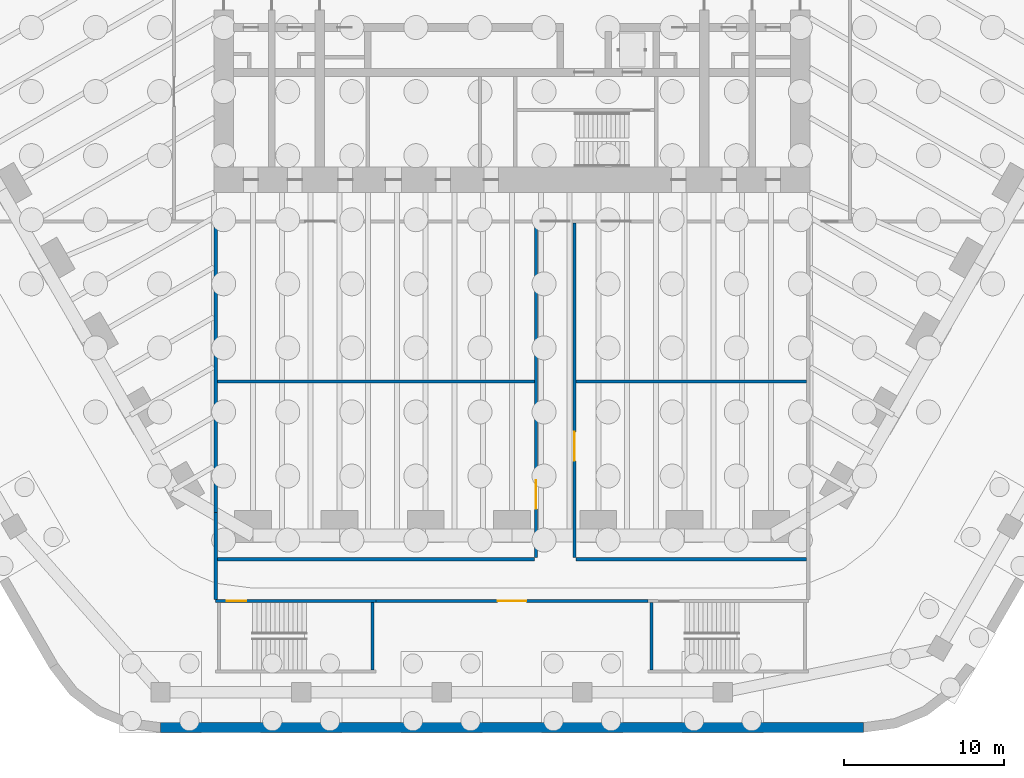
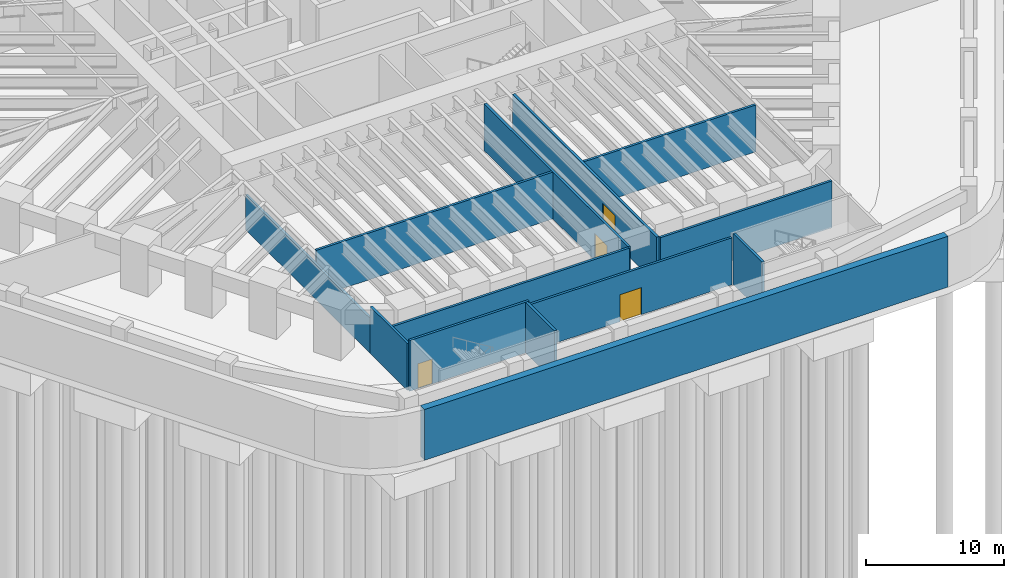
# One storey, part 6 of 17: 13 walls, 4 doors, 4 openings.
"""IFC4 building model written with IfcOpenShell, lengths in metres."""

from ifc_helpers import new_model, si_unit, direction, frame, frame_2d, origin, place, context, subcontext, project, spatial, rectangle, extrude, material, layer, layer_set, type_object, element, fill, save


model = new_model("IFC4")

# Units and contexts
model_context = context("Model", 3, precision=1e-05, world=origin(), true_north=direction((0.0, 1.0)))
body_context = subcontext(model_context, "Body", "Model", "MODEL_VIEW")
ifc_project = project(units=[si_unit("LENGTHUNIT", "METRE"), si_unit("AREAUNIT", "SQUARE_METRE"), si_unit("VOLUMEUNIT", "CUBIC_METRE"), si_unit("PLANEANGLEUNIT", "RADIAN"), si_unit("MASSUNIT", "GRAM", prefix="KILO")], contexts=[model_context])

# Site, building, storey
site_placement = place(None, origin())
site = spatial("IfcSite", under=ifc_project, at=site_placement, CompositionType="ELEMENT")
building_placement = place(site_placement, origin())
building = spatial("IfcBuilding", under=site, at=building_placement, Name="Tarfa Lantern Tower", CompositionType="ELEMENT")
storey_placement = place(building_placement, frame((0.0, 0.0, -9.0)))
storey = spatial("IfcBuildingStorey", under=building, at=storey_placement, Name="B2", CompositionType="ELEMENT", Elevation=-9.0)

# Walls
ifc_material_1 = material(Name="Concrete blockwork", Category="masonry")
ifc_layer_1 = layer(ifc_material_1, 0.199951171875)
ifc_layer_set_1 = layer_set([ifc_layer_1], Name="IW1 BLOCKWORK PARTITION 200 EI 120")
wall_type_1 = type_object("IfcWallType", Name="IW1 BLOCKWORK PARTITION 200 EI 120", PredefinedType="PARTITIONING", material=ifc_layer_set_1)
wall_1_placement = place(storey_placement, frame((-18.5, -14.199951171875, 0.0), z_axis=(0.0, 0.0, 1.0), x_axis=(0.0, -1.0, 0.0)))
element("IfcWall", 1, at=wall_1_placement, inside=storey, type_object=wall_type_1, Name="Fire-rated partition", PredefinedType="PARTITIONING", context=body_context, shape_type="SweptSolid", body=[
    extrude(rectangle(XDim=18.09033203125, YDim=0.199951171875, at=frame_2d((9.045166015625, 0.0))), origin(), (0.0, 0.0, 1.0), 3.093994140625),
])
wall_2_placement = place(storey_placement, frame((-18.5, -32.290283203125, 0.0), z_axis=(0.0, 0.0, 1.0), x_axis=(0.0, -1.0, 0.0)))
element("IfcWall", 2, at=wall_2_placement, inside=storey, type_object=wall_type_1, Name="Fire-rated partition", PredefinedType="PARTITIONING", context=body_context, shape_type="SweptSolid", body=[
    extrude(rectangle(XDim=5.40966796875, YDim=0.199951171875, at=frame_2d((2.704833984375, 0.0))), origin(), (0.0, 0.0, 1.0), 4.14990234375),
])

# Wall, opening, door
wall_3_placement = place(storey_placement, frame((1.5, -14.199951171875, 0.0), z_axis=(0.0, 0.0, 1.0), x_axis=(0.0, -1.0, 0.0)))
wall_3 = element("IfcWall", 3, at=wall_3_placement, inside=storey, type_object=wall_type_1, Name="Fire-rated partition", PredefinedType="PARTITIONING", context=body_context, shape_type="SweptSolid", body=[
    extrude(rectangle(XDim=20.900146484375, YDim=0.199951171875, at=frame_2d((10.4501953125, 0.0))), origin(), (0.0, 0.0, 1.0), 4.14990234375),
])
opening_1_placement = place(wall_3_placement, frame((16.050048828125, 0.0, 0.0)))
opening_1 = element("IfcOpeningElement", 4, at=opening_1_placement, cuts=wall_3, Name="Opening D52", PredefinedType="OPENING", context=body_context, shape_type="SweptSolid", body=[
    extrude(rectangle(XDim=1.800048828125, YDim=2.39990234375, at=frame_2d((0.89990234375, 1.199951171875))), frame((0.0, 0.10986328125, 0.0), z_axis=(0.0, -1.0, 0.0), x_axis=(1.0, 0.0, 0.0)), (0.0, 0.0, 1.0), 0.219970703125),
])
ifc_material_2 = material(Name="Steel fire door", Category="steel")
door_type_1 = type_object("IfcDoorType", Name="DF7 FIRE DOOR 1800x2400", OperationType="DOUBLE_DOOR_SINGLE_SWING", PredefinedType="DOOR", material=ifc_material_2)
door_1_placement = place(opening_1_placement, frame((1.800048828125, 0.0, 0.0), z_axis=(0.0, 0.0, 1.0), x_axis=(-1.0, 0.0, 0.0)))
door_1 = element("IfcDoor", 5, at=door_1_placement, inside=storey, type_object=door_type_1, Name="Plant room door", OperationType="DOUBLE_DOOR_SINGLE_SWING", OverallHeight=2.39990234375, OverallWidth=1.800048828125, PredefinedType="DOOR", context=body_context, shape_type="SweptSolid", body=[
    extrude(rectangle(XDim=1.800048828125, YDim=2.39990234375, at=frame_2d((0.89990234375, 1.199951171875))), frame((0.0, 0.02490234375, 0.0), z_axis=(0.0, -1.0, 0.0), x_axis=(1.0, 0.0, 0.0)), (0.0, 0.0, 1.0), 0.050048828125),
])
fill(opening_1, door_1)

wall_4_placement = place(storey_placement, frame((3.89990234375, -14.199951171875, 0.0), z_axis=(0.0, 0.0, 1.0), x_axis=(0.0, -1.0, 0.0)))
wall_4 = element("IfcWall", 6, at=wall_4_placement, inside=storey, type_object=wall_type_1, Name="Fire-rated partition", PredefinedType="PARTITIONING", context=body_context, shape_type="SweptSolid", body=[
    extrude(rectangle(XDim=20.900146484375, YDim=0.199951171875, at=frame_2d((10.4501953125, 0.0))), origin(), (0.0, 0.0, 1.0), 4.14990234375),
])
opening_2_placement = place(wall_4_placement, frame((13.050048828125, 0.0, 0.0)))
opening_2 = element("IfcOpeningElement", 7, at=opening_2_placement, cuts=wall_4, Name="Opening D50", PredefinedType="OPENING", context=body_context, shape_type="SweptSolid", body=[
    extrude(rectangle(XDim=1.800048828125, YDim=2.39990234375, at=frame_2d((0.89990234375, 1.199951171875))), frame((0.0, 0.10986328125, 0.0), z_axis=(0.0, -1.0, 0.0), x_axis=(1.0, 0.0, 0.0)), (0.0, 0.0, 1.0), 0.219970703125),
])
door_2_placement = place(opening_2_placement, origin())
door_2 = element("IfcDoor", 8, at=door_2_placement, inside=storey, type_object=door_type_1, Name="Plant room door", OperationType="DOUBLE_DOOR_SINGLE_SWING", OverallHeight=2.39990234375, OverallWidth=1.800048828125, PredefinedType="DOOR", context=body_context, shape_type="SweptSolid", body=[
    extrude(rectangle(XDim=1.800048828125, YDim=2.39990234375, at=frame_2d((0.89990234375, 1.199951171875))), frame((0.0, 0.02490234375, 0.0), z_axis=(0.0, -1.0, 0.0), x_axis=(1.0, 0.0, 0.0)), (0.0, 0.0, 1.0), 0.050048828125),
])
fill(opening_2, door_2)

# Walls
wall_5_placement = place(storey_placement, frame((-18.39990234375, -24.10009765625, 0.0), z_axis=(0.0, 0.0, 1.0), x_axis=(1.0, 0.0, 0.0)))
element("IfcWall", 9, at=wall_5_placement, inside=storey, type_object=wall_type_1, Name="Fire-rated partition", PredefinedType="PARTITIONING", context=body_context, shape_type="SweptSolid", body=[
    extrude(rectangle(XDim=19.7998046875, YDim=0.199951171875, at=frame_2d((9.89990234375, 0.0))), origin(), (0.0, 0.0, 1.0), 4.14990234375),
])
wall_6_placement = place(storey_placement, frame((4.0, -24.10009765625, 0.0), z_axis=(0.0, 0.0, 1.0), x_axis=(1.0, 0.0, 0.0)))
element("IfcWall", 10, at=wall_6_placement, inside=storey, type_object=wall_type_1, Name="Fire-rated partition", PredefinedType="PARTITIONING", context=body_context, shape_type="SweptSolid", body=[
    extrude(rectangle(XDim=14.39990234375, YDim=0.199951171875, at=frame_2d((7.199951171875, 0.0))), origin(), (0.0, 0.0, 1.0), 4.14990234375),
])
wall_7_placement = place(storey_placement, frame((-18.39990234375, -35.199951171875, 0.0), z_axis=(0.0, 0.0, 1.0), x_axis=(1.0, 0.0, 0.0)))
element("IfcWall", 11, at=wall_7_placement, inside=storey, type_object=wall_type_1, Name="Fire-rated partition", PredefinedType="PARTITIONING", context=body_context, shape_type="SweptSolid", body=[
    extrude(rectangle(XDim=19.7998046875, YDim=0.199951171875, at=frame_2d((9.89990234375, 0.0))), origin(), (0.0, 0.0, 1.0), 4.14990234375),
])
wall_8_placement = place(storey_placement, frame((4.0, -35.199951171875, 0.0), z_axis=(0.0, 0.0, 1.0), x_axis=(1.0, 0.0, 0.0)))
element("IfcWall", 12, at=wall_8_placement, inside=storey, type_object=wall_type_1, Name="Fire-rated partition", PredefinedType="PARTITIONING", context=body_context, shape_type="SweptSolid", body=[
    extrude(rectangle(XDim=14.39990234375, YDim=0.199951171875, at=frame_2d((7.199951171875, 0.0))), origin(), (0.0, 0.0, 1.0), 4.14990234375),
])

# Wall, opening, door
wall_9_placement = place(storey_placement, frame((-8.5, -37.800048828125, 0.0), z_axis=(0.0, 0.0, 1.0), x_axis=(1.0, 0.0, 0.0)))
wall_9 = element("IfcWall", 13, at=wall_9_placement, inside=storey, type_object=wall_type_1, Name="Fire-rated partition", PredefinedType="PARTITIONING", context=body_context, shape_type="SweptSolid", body=[
    extrude(rectangle(XDim=17.0, YDim=0.199951171875, at=frame_2d((8.5, 0.0))), origin(), (0.0, 0.0, 1.0), 4.14990234375),
])
opening_3_placement = place(wall_9_placement, frame((7.60009765625, 0.0, 0.0)))
opening_3 = element("IfcOpeningElement", 14, at=opening_3_placement, cuts=wall_9, Name="Opening D47", PredefinedType="OPENING", context=body_context, shape_type="SweptSolid", body=[
    extrude(rectangle(XDim=1.800048828125, YDim=2.39990234375, at=frame_2d((0.89990234375, 1.199951171875))), frame((0.0, 0.10986328125, 0.0), z_axis=(0.0, -1.0, 0.0), x_axis=(1.0, 0.0, 0.0)), (0.0, 0.0, 1.0), 0.219970703125),
])
door_3_placement = place(opening_3_placement, frame((1.800048828125, 0.0, 0.0), z_axis=(0.0, 0.0, 1.0), x_axis=(-1.0, 0.0, 0.0)))
door_3 = element("IfcDoor", 15, at=door_3_placement, inside=storey, type_object=door_type_1, Name="Plant room door", OperationType="DOUBLE_DOOR_SINGLE_SWING", OverallHeight=2.39990234375, OverallWidth=1.800048828125, PredefinedType="DOOR", context=body_context, shape_type="SweptSolid", body=[
    extrude(rectangle(XDim=1.800048828125, YDim=2.39990234375, at=frame_2d((0.89990234375, 1.199951171875))), frame((0.0, 0.02490234375, 0.0), z_axis=(0.0, -1.0, 0.0), x_axis=(1.0, 0.0, 0.0)), (0.0, 0.0, 1.0), 0.050048828125),
])
fill(opening_3, door_3)

# Wall
ifc_material_3 = material(Name="Concrete C50/60", Category="concrete")
ifc_layer_2 = layer(ifc_material_3, 0.60009765625)
ifc_layer_set_2 = layer_set([ifc_layer_2], Name="RW1 RETAINING WALL 600")
wall_type_2 = type_object("IfcWallType", Name="RW1 RETAINING WALL 600", PredefinedType="SOLIDWALL", material=ifc_layer_set_2)
wall_10_placement = place(storey_placement, frame((-21.939208984375, -45.699951171875, 0.0), z_axis=(0.0, 0.0, 1.0), x_axis=(1.0, 0.0, 0.0)))
element("IfcWall", 16, at=wall_10_placement, inside=storey, type_object=wall_type_2, Name="Retaining wall S", PredefinedType="SOLIDWALL", context=body_context, shape_type="SweptSolid", body=[
    extrude(rectangle(XDim=43.87841796875, YDim=0.60009765625, at=frame_2d((21.939208984375, 0.0))), origin(), (0.0, 0.0, 1.0), 4.5),
])

# Wall, opening, door
ifc_material_4 = material(Name="Concrete C80/95", Category="concrete")
ifc_layer_3 = layer(ifc_material_4, 0.199951171875)
ifc_layer_set_3 = layer_set([ifc_layer_3], Name="SW12 CORE WALL 200")
wall_type_3 = type_object("IfcWallType", Name="SW12 CORE WALL 200", PredefinedType="SHEAR", material=ifc_layer_set_3)
wall_11_placement = place(storey_placement, frame((-8.5, -37.800048828125, 0.0), z_axis=(0.0, 0.0, 1.0), x_axis=(-1.0, 0.0, 0.0)))
wall_11 = element("IfcWall", 17, at=wall_11_placement, inside=storey, type_object=wall_type_3, Name="Stair ST5 shaft wall", PredefinedType="SHEAR", context=body_context, shape_type="SweptSolid", body=[
    extrude(rectangle(XDim=10.0, YDim=0.199951171875, at=frame_2d((5.0, 0.0))), origin(), (0.0, 0.0, 1.0), 4.5),
])
opening_4_placement = place(wall_11_placement, frame((8.10009765625, 0.0, 0.0)))
opening_4 = element("IfcOpeningElement", 18, at=opening_4_placement, cuts=wall_11, Name="Opening D43", PredefinedType="OPENING", context=body_context, shape_type="SweptSolid", body=[
    extrude(rectangle(XDim=1.199951171875, YDim=2.199951171875, at=frame_2d((0.60009765625, 1.10009765625))), frame((0.0, 0.10986328125, 0.0), z_axis=(0.0, -1.0, 0.0), x_axis=(1.0, 0.0, 0.0)), (0.0, 0.0, 1.0), 0.219970703125),
])
door_type_2 = type_object("IfcDoorType", Name="DF9 STAIR DOOR 1200x2200", OperationType="SINGLE_SWING_LEFT", PredefinedType="DOOR", material=ifc_material_2)
door_4_placement = place(opening_4_placement, origin())
door_4 = element("IfcDoor", 19, at=door_4_placement, inside=storey, type_object=door_type_2, Name="Stair door", OperationType="SINGLE_SWING_LEFT", OverallHeight=2.199951171875, OverallWidth=1.199951171875, PredefinedType="DOOR", context=body_context, shape_type="SweptSolid", body=[
    extrude(rectangle(XDim=1.199951171875, YDim=2.199951171875, at=frame_2d((0.60009765625, 1.10009765625))), frame((0.0, 0.02490234375, 0.0), z_axis=(0.0, -1.0, 0.0), x_axis=(1.0, 0.0, 0.0)), (0.0, 0.0, 1.0), 0.050048828125),
])
fill(opening_4, door_4)

# Walls
for number, where, z_axis, x_axis, name in (
    (20, (-8.699951171875, -42.10009765625, 0.0), (0.0, 0.0, 1.0), (0.0, 1.0, 0.0), "Stair ST5 shaft wall"),
    (21, (8.699951171875, -37.89990234375, 0.0), (0.0, 0.0, 1.0), (0.0, -1.0, 0.0), "Stair ST6 shaft wall"),
):
    element("IfcWall", number, at=place(storey_placement, frame(where, z_axis=z_axis, x_axis=x_axis)), inside=storey, type_object=wall_type_3, Name=name, PredefinedType="SHEAR", context=body_context, shape_type="SweptSolid", body=[
        extrude(rectangle(XDim=4.2001953125, YDim=0.199951171875, at=frame_2d((2.10009765625, 0.0))), origin(), (0.0, 0.0, 1.0), 4.5),
    ])

save(model, "model.ifc")
